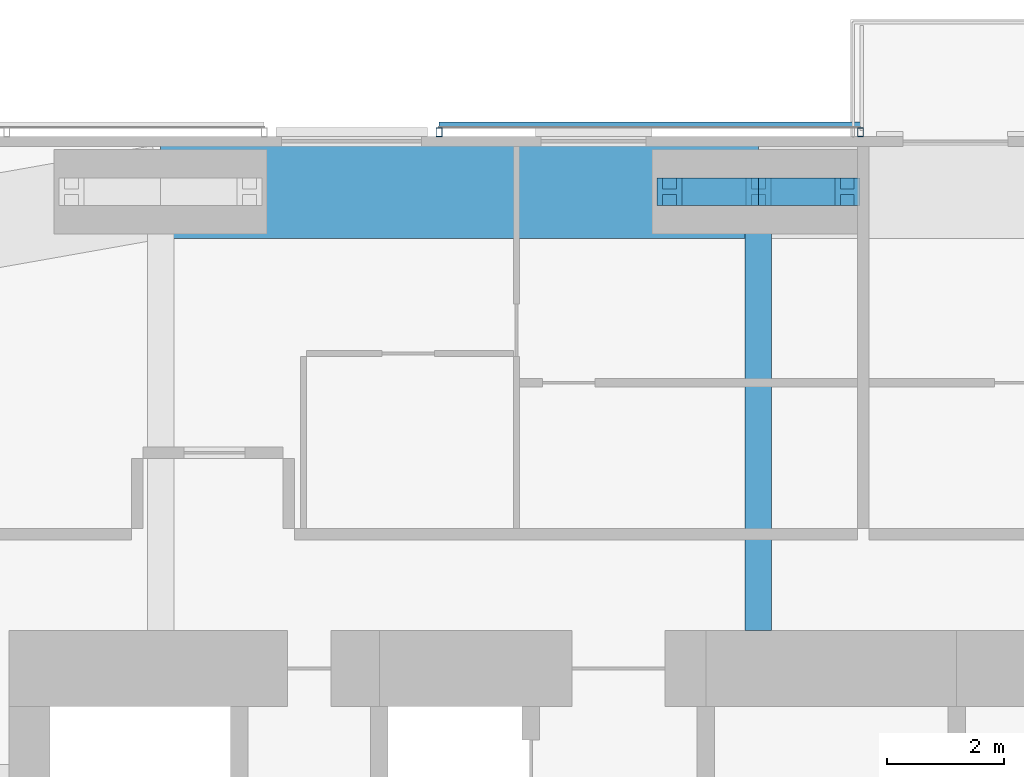
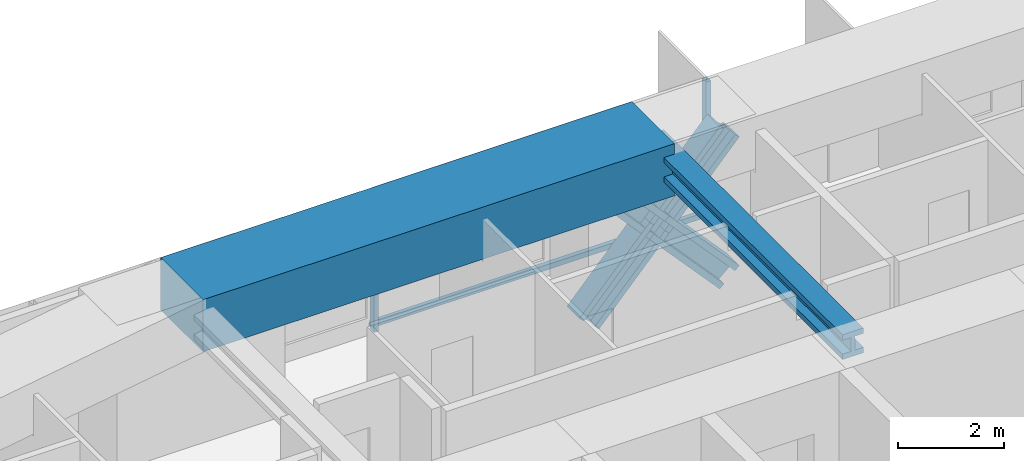
# One storey, part 11 of 23: 7 members, 2 beams, 1 element without a shape of its own.
"""IFC4 building model written with IfcOpenShell, lengths in metres."""

from ifc_helpers import new_model, si_unit, direction, frame, origin, origin_2d, place, context, subcontext, project, spatial, rectangle, hollow_rectangle, i_section, extrude, material, material_profile, profile_set, type_object, element, aggregate, save


model = new_model("IFC4")

# Units and contexts
model_context = context("Model", 3, precision=1e-05, world=origin(), true_north=direction((0.0, 1.0)))
body_context = subcontext(model_context, "Body", "Model", "MODEL_VIEW")
ifc_project = project(units=[si_unit("LENGTHUNIT", "METRE"), si_unit("AREAUNIT", "SQUARE_METRE"), si_unit("VOLUMEUNIT", "CUBIC_METRE"), si_unit("PLANEANGLEUNIT", "RADIAN"), si_unit("MASSUNIT", "GRAM", prefix="KILO")], contexts=[model_context])

# Site, building, storey
site_placement = place(None, origin())
site = spatial("IfcSite", under=ifc_project, at=site_placement, CompositionType="ELEMENT")
building_placement = place(site_placement, origin())
building = spatial("IfcBuilding", under=site, at=building_placement, Name="Jalousie Tower", CompositionType="ELEMENT")
storey_placement = place(building_placement, frame((0.0, 0.0, 197.89990234375)))
storey = spatial("IfcBuildingStorey", under=building, at=storey_placement, Name="L54", CompositionType="ELEMENT", Elevation=197.89990234375)

# Beam
ifc_material_1 = material(Name="Steel ASTM A992 Grade 50", Category="steel")
ifc_material_profile_1 = material_profile(ifc_material_1, i_section(OverallWidth=0.45458984375, OverallDepth=0.569091796875, WebThickness=0.077880859375, FlangeThickness=0.124755859375, at=origin_2d()), Name="W14X730")
ifc_profile_set_1 = profile_set([ifc_material_profile_1], Name="Steel ASTM A992 Grade 50")
beam_type_1 = type_object("IfcBeamType", Name="LEAN COLLECTOR W14X730", PredefinedType="BEAM", material=ifc_profile_set_1)
beam_1_placement = place(storey_placement, frame((32.5, 35.050048828125, 2.82568359375), z_axis=(0.0, -1.0, 0.0), x_axis=(1.0, 0.0, 0.0)))
element("IfcBeam", 1, at=beam_1_placement, inside=storey, type_object=beam_type_1, Name="Lean collector under L55", PredefinedType="BEAM", context=body_context, shape_type="SweptSolid", body=[
    extrude(i_section(OverallWidth=0.45458984375, OverallDepth=0.569091796875, WebThickness=0.077880859375, FlangeThickness=0.124755859375, at=origin_2d()), origin(), (0.0, 0.0, 1.0), 7.525146484375),
])

# Members
ifc_material_2 = material(Name="Steel ASTM A992 Grade 50", Category="steel")
ifc_material_profile_2 = material_profile(ifc_material_2, i_section(OverallWidth=0.472412109375, OverallDepth=0.5791015625, WebThickness=0.094970703125, FlangeThickness=0.1298828125, at=origin_2d()), Name="W14X808")
ifc_profile_set_2 = profile_set([ifc_material_profile_2], Name="Steel ASTM A992 Grade 50")
member_type_1 = type_object("IfcMemberType", Name="PERIMETER BRACE W14X808", PredefinedType="BRACE", material=ifc_profile_set_2)
for number, where, z_axis, x_axis, name in (
    (2, (30.97509765625, 35.050048828125, -0.599853515625), (0.673187629365, 0.0, 0.739471713908), (0.0, 1.0, 0.0), "Perimeter brace 10 L54 part 1"),
    (3, (32.5, 35.050048828125, 1.0751953125), (0.673241284601, 0.0, 0.739422864611), (0.0, 1.0, 0.0), "Perimeter brace 10 L54 part 2"),
    (4, (34.02490234375, 35.050048828125, -0.599853515625), (-0.673187629365, 0.0, 0.739471713908), (0.0, -1.0, 0.0), "Perimeter brace 10 L54 part 3"),
    (5, (32.5, 35.050048828125, 1.0751953125), (-0.673241284601, 0.0, 0.739422864611), (0.0, -1.0, 0.0), "Perimeter brace 10 L54 part 4"),
):
    element("IfcMember", number, at=place(storey_placement, frame(where, z_axis=z_axis, x_axis=x_axis)), inside=storey, type_object=member_type_1, Name=name, PredefinedType="BRACE", context=body_context, shape_type="SweptSolid", body=[
        extrude(i_section(OverallWidth=0.472412109375, OverallDepth=0.5791015625, WebThickness=0.094970703125, FlangeThickness=0.1298828125, at=origin_2d()), origin(), (0.0, 0.0, 1.0), 2.26513671875),
    ])

# Beam
ifc_material_3 = material(Name="Concrete f'c 40 MPa", Category="concrete")
ifc_material_profile_3 = material_profile(ifc_material_3, rectangle(XDim=1.60009765625, YDim=1.199951171875, at=origin_2d()), Name="RC 1600x1200")
ifc_profile_set_3 = profile_set([ifc_material_profile_3], Name="Concrete f'c 40 MPa")
beam_type_2 = type_object("IfcBeamType", Name="RC BEAM 1600x1200", PredefinedType="BEAM", material=ifc_profile_set_3)
beam_2_placement = place(storey_placement, frame((32.5, 35.050048828125, 2.75), z_axis=(-1.0, 0.0, 0.0), x_axis=(0.0, -1.0, 0.0)))
element("IfcBeam", 6, at=beam_2_placement, inside=storey, type_object=beam_type_2, Name="Edge band beam 10-11 under L55", PredefinedType="BEAM", context=body_context, shape_type="SweptSolid", body=[
    extrude(rectangle(XDim=1.60009765625, YDim=1.199951171875, at=origin_2d()), origin(), (0.0, 0.0, 1.0), 10.25),
])

# Curtain wall, members
ifc_material_4 = material(Name="Perforated aluminium sheet", Category="aluminium")
curtain_wall_type = type_object("IfcCurtainWallType", Name="SOLAR SCREEN SS-1", PredefinedType="USERDEFINED", material=ifc_material_4)
curtain_wall_placement = place(storey_placement, origin())
curtain_wall = element("IfcCurtainWall", 7, at=curtain_wall_placement, inside=storey, type_object=curtain_wall_type, Name="Solar screen L54", ObjectType="SOLAR SCREEN SS-1", PredefinedType="USERDEFINED")
ifc_material_5 = material(Name="Steel ASTM A500 Grade C", Category="steel")
ifc_material_profile_4 = material_profile(ifc_material_5, hollow_rectangle(XDim=0.1015625, YDim=0.15234375, WallThickness=0.00634765625, at=origin_2d()), Name="HSS6X4X1/4")
ifc_profile_set_4 = profile_set([ifc_material_profile_4], Name="Steel ASTM A500 Grade C")
member_type_2 = type_object("IfcMemberType", Name="SOLAR SCREEN SS-1 MULLION", PredefinedType="MULLION", material=ifc_profile_set_4)
member_1_placement = place(storey_placement, frame((34.25, 36.0712890625, -0.119873046875), z_axis=(0.0, 0.0, 1.0), x_axis=(-1.0, 0.0, 0.0)))
member_1 = element("IfcMember", 8, at=member_1_placement, type_object=member_type_2, Name="SS1 post 1", PredefinedType="MULLION", context=body_context, shape_type="SweptSolid", body=[
    extrude(hollow_rectangle(XDim=0.1015625, YDim=0.15234375, WallThickness=0.00634765625, at=origin_2d()), origin(), (0.0, 0.0, 1.0), 3.22998046875),
])
member_2_placement = place(storey_placement, frame((27.02490234375, 36.0712890625, -0.119873046875), z_axis=(0.0, 0.0, 1.0), x_axis=(-1.0, 0.0, 0.0)))
member_2 = element("IfcMember", 9, at=member_2_placement, type_object=member_type_2, Name="SS1 post 2", PredefinedType="MULLION", context=body_context, shape_type="SweptSolid", body=[
    extrude(hollow_rectangle(XDim=0.1015625, YDim=0.15234375, WallThickness=0.00634765625, at=origin_2d()), origin(), (0.0, 0.0, 1.0), 3.22998046875),
])
ifc_material_6 = material(Name="Extruded aluminium screen rail", Category="aluminium")
ifc_material_profile_5 = material_profile(ifc_material_6, rectangle(XDim=0.1015625, YDim=0.1201171875, at=origin_2d()), Name="RAIL 102x120")
ifc_profile_set_5 = profile_set([ifc_material_profile_5], Name="Extruded aluminium screen rail")
member_type_3 = type_object("IfcMemberType", Name="SOLAR SCREEN SS-1 TRANSOM", PredefinedType="USERDEFINED", material=ifc_profile_set_5)
member_3_placement = place(storey_placement, frame((34.25, 36.1982421875, -0.059814453125), z_axis=(-1.0, 0.0, 0.0), x_axis=(0.0, -1.0, 0.0)))
member_3 = element("IfcMember", 10, at=member_3_placement, type_object=member_type_3, Name="SS1 rail", ObjectType="TRANSOM", PredefinedType="USERDEFINED", context=body_context, shape_type="SweptSolid", body=[
    extrude(rectangle(XDim=0.1015625, YDim=0.1201171875, at=origin_2d()), origin(), (0.0, 0.0, 1.0), 7.22509765625),
])
aggregate(curtain_wall, [member_1, member_2, member_3])

save(model, "model.ifc")
